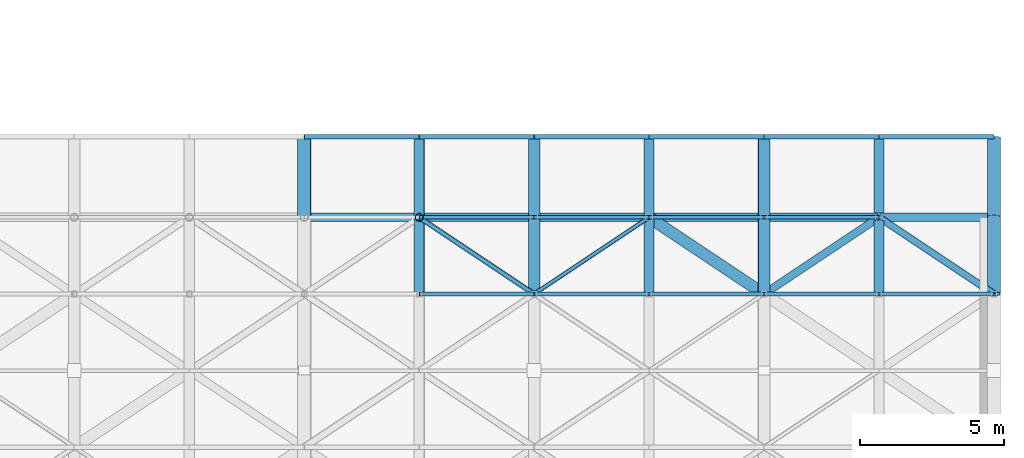
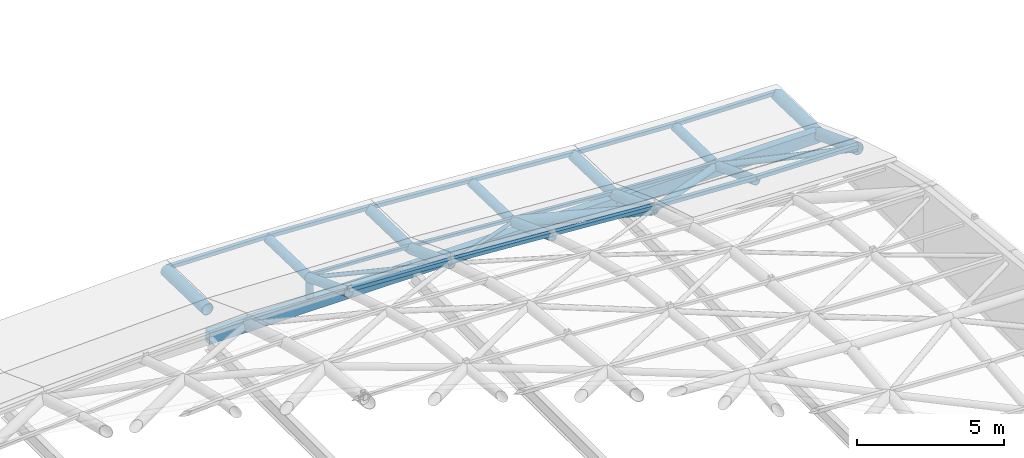
# One storey, part 9 of 20: 21 members, 16 beams.
"""IFC4 building model written with IfcOpenShell, lengths in metres."""

from ifc_helpers import new_model, si_unit, direction, frame, origin, origin_2d, place, context, subcontext, project, spatial, hollow_rectangle, hollow_circle, extrude, material, material_profile, profile_set, type_object, element, save


model = new_model("IFC4")

# Units and contexts
model_context = context("Model", 3, precision=1e-05, world=origin(), true_north=direction((0.0, 1.0)))
body_context = subcontext(model_context, "Body", "Model", "MODEL_VIEW")
ifc_project = project(units=[si_unit("LENGTHUNIT", "METRE"), si_unit("AREAUNIT", "SQUARE_METRE"), si_unit("VOLUMEUNIT", "CUBIC_METRE"), si_unit("PLANEANGLEUNIT", "RADIAN"), si_unit("MASSUNIT", "GRAM", prefix="KILO")], contexts=[model_context])

# Site, building, storey
site_placement = place(None, origin())
site = spatial("IfcSite", under=ifc_project, at=site_placement, CompositionType="ELEMENT")
building_placement = place(site_placement, origin())
building = spatial("IfcBuilding", under=site, at=building_placement, Name="Tenunan Teduh Sports Hall", CompositionType="ELEMENT")
storey_placement = place(building_placement, frame((0.0, 0.0, 23.39990234375)))
storey = spatial("IfcBuildingStorey", under=building, at=storey_placement, Name="RF", CompositionType="ELEMENT", Elevation=23.39990234375)

# Beams
ifc_material_1 = material(Name="Steel S355", Category="steel")
ifc_material_profile_1 = material_profile(ifc_material_1, hollow_circle(Radius=0.177734375, WallThickness=0.012451171875, at=origin_2d()), Name="CHS 355.6x12.5")
ifc_profile_set_1 = profile_set([ifc_material_profile_1], Name="Steel S355")
beam_type_1 = type_object("IfcBeamType", Name="GSB-CHS356", PredefinedType="BEAM", material=ifc_profile_set_1)
beam_1_placement = place(storey_placement, frame((34.0, 43.333251953125, 1.6552734375), z_axis=(0.0, 0.935428675248, -0.353515478479), x_axis=(-1.0, 0.0, 0.0)))
element("IfcBeam", 1, at=beam_1_placement, inside=storey, type_object=beam_type_1, Name="Gridshell Vault Arch BM-GR-04-RF-0377", PredefinedType="BEAM", context=body_context, shape_type="SweptSolid", body=[
    extrude(hollow_circle(Radius=0.177734375, WallThickness=0.012451171875, at=origin_2d()), origin(), (0.0, 0.0, 1.0), 2.850830078125),
])
beam_2_placement = place(storey_placement, frame((34.0, 46.0, 0.6474609375), z_axis=(0.0, 0.999610985869, -0.027890445155), x_axis=(-1.0, 0.0, 0.0)))
element("IfcBeam", 2, at=beam_2_placement, inside=storey, type_object=beam_type_1, Name="Gridshell Vault Arch BM-GR-04-RF-0378", PredefinedType="BEAM", context=body_context, shape_type="SweptSolid", body=[
    extrude(hollow_circle(Radius=0.177734375, WallThickness=0.012451171875, at=origin_2d()), origin(), (0.0, 0.0, 1.0), 2.801025390625),
])
beam_3_placement = place(storey_placement, frame((42.0, 43.333251953125, 1.1787109375), z_axis=(0.0, 0.935428675248, -0.353515478479), x_axis=(-1.0, 0.0, 0.0)))
element("IfcBeam", 3, at=beam_3_placement, inside=storey, type_object=beam_type_1, Name="Gridshell Vault Arch BM-GR-04-RF-0405", PredefinedType="BEAM", context=body_context, shape_type="SweptSolid", body=[
    extrude(hollow_circle(Radius=0.177734375, WallThickness=0.012451171875, at=origin_2d()), origin(), (0.0, 0.0, 1.0), 2.850830078125),
])
beam_4_placement = place(storey_placement, frame((42.0, 46.0, 0.1708984375), z_axis=(0.0, 0.999610985869, -0.027890445155), x_axis=(-1.0, 0.0, 0.0)))
element("IfcBeam", 4, at=beam_4_placement, inside=storey, type_object=beam_type_1, Name="Gridshell Vault Arch BM-GR-04-RF-0406", PredefinedType="BEAM", context=body_context, shape_type="SweptSolid", body=[
    extrude(hollow_circle(Radius=0.177734375, WallThickness=0.012451171875, at=origin_2d()), origin(), (0.0, 0.0, 1.0), 2.801025390625),
])
beam_5_placement = place(storey_placement, frame((50.0, 43.333251953125, 0.7021484375), z_axis=(0.0, 0.936146189375, -0.351611023888), x_axis=(-1.0, 0.0, 0.0)))
element("IfcBeam", 5, at=beam_5_placement, inside=storey, type_object=beam_type_1, Name="Gridshell Vault Arch BM-GR-04-RF-0433", PredefinedType="BEAM", context=body_context, shape_type="SweptSolid", body=[
    extrude(hollow_circle(Radius=0.177734375, WallThickness=0.012451171875, at=origin_2d()), origin(), (0.0, 0.0, 1.0), 2.6884765625),
])
beam_6_placement = place(storey_placement, frame((50.0, 46.14990234375, -0.3095703125), z_axis=(0.0, 0.999608075745, -0.027994551361), x_axis=(-1.0, 0.0, 0.0)))
element("IfcBeam", 6, at=beam_6_placement, inside=storey, type_object=beam_type_1, Name="Gridshell Vault Arch BM-GR-04-RF-0434", PredefinedType="BEAM", context=body_context, shape_type="SweptSolid", body=[
    extrude(hollow_circle(Radius=0.177734375, WallThickness=0.012451171875, at=origin_2d()), origin(), (0.0, 0.0, 1.0), 2.651123046875),
])
ifc_material_2 = material(Name="Steel S355", Category="steel")
ifc_material_profile_2 = material_profile(ifc_material_2, hollow_circle(Radius=0.203125, WallThickness=0.01611328125, at=origin_2d()), Name="CHS 406.4x16.0")
ifc_profile_set_2 = profile_set([ifc_material_profile_2], Name="Steel S355")
beam_type_2 = type_object("IfcBeamType", Name="GSB-CHS406", PredefinedType="BEAM", material=ifc_profile_set_2)
beam_7_placement = place(storey_placement, frame((38.0, 43.333251953125, 1.4521484375), z_axis=(0.0, 0.935428675248, -0.353515478479), x_axis=(-1.0, 0.0, 0.0)))
element("IfcBeam", 7, at=beam_7_placement, inside=storey, type_object=beam_type_2, Name="Gridshell Vault Arch BM-GA-02-RF-0391", PredefinedType="BEAM", context=body_context, shape_type="SweptSolid", body=[
    extrude(hollow_circle(Radius=0.203125, WallThickness=0.01611328125, at=origin_2d()), origin(), (0.0, 0.0, 1.0), 2.850830078125),
])
beam_8_placement = place(storey_placement, frame((38.0, 46.0, 0.4443359375), z_axis=(0.0, 0.999610985869, -0.027890445155), x_axis=(-1.0, 0.0, 0.0)))
element("IfcBeam", 8, at=beam_8_placement, inside=storey, type_object=beam_type_2, Name="Gridshell Vault Arch BM-GA-02-RF-0392", PredefinedType="BEAM", context=body_context, shape_type="SweptSolid", body=[
    extrude(hollow_circle(Radius=0.203125, WallThickness=0.01611328125, at=origin_2d()), origin(), (0.0, 0.0, 1.0), 2.801025390625),
])
beam_9_placement = place(storey_placement, frame((46.0, 43.333251953125, 0.9013671875), z_axis=(0.0, 0.935428675248, -0.353515478479), x_axis=(-1.0, 0.0, 0.0)))
element("IfcBeam", 9, at=beam_9_placement, inside=storey, type_object=beam_type_2, Name="Gridshell Vault Arch BM-GA-02-RF-0419", PredefinedType="BEAM", context=body_context, shape_type="SweptSolid", body=[
    extrude(hollow_circle(Radius=0.203125, WallThickness=0.01611328125, at=origin_2d()), origin(), (0.0, 0.0, 1.0), 2.850830078125),
])
beam_10_placement = place(storey_placement, frame((46.0, 46.0, -0.1064453125), z_axis=(0.0, 0.999610985869, -0.027890445155), x_axis=(-1.0, 0.0, 0.0)))
element("IfcBeam", 10, at=beam_10_placement, inside=storey, type_object=beam_type_2, Name="Gridshell Vault Arch BM-GA-02-RF-0420", PredefinedType="BEAM", context=body_context, shape_type="SweptSolid", body=[
    extrude(hollow_circle(Radius=0.203125, WallThickness=0.01611328125, at=origin_2d()), origin(), (0.0, 0.0, 1.0), 2.801025390625),
])
ifc_material_3 = material(Name="Steel S355", Category="steel")
ifc_material_profile_3 = material_profile(ifc_material_3, hollow_circle(Radius=0.228515625, WallThickness=0.01611328125, at=origin_2d()), Name="CHS 457.0x16.0")
ifc_profile_set_3 = profile_set([ifc_material_profile_3], Name="Steel S355")
beam_type_3 = type_object("IfcBeamType", Name="GSB-CHS457", PredefinedType="BEAM", material=ifc_profile_set_3)
beam_11_placement = place(storey_placement, frame((30.0, 46.0, 0.7216796875), z_axis=(0.0, 0.999610985869, -0.027890445155), x_axis=(-1.0, 0.0, 0.0)))
element("IfcBeam", 11, at=beam_11_placement, inside=storey, type_object=beam_type_3, Name="Gridshell Vault Arch BM-GA-01-RF-0364", PredefinedType="BEAM", context=body_context, shape_type="SweptSolid", body=[
    extrude(hollow_circle(Radius=0.228515625, WallThickness=0.01611328125, at=origin_2d()), origin(), (0.0, 0.0, 1.0), 2.801025390625),
])
beam_12_placement = place(storey_placement, frame((54.0, 43.333251953125, 0.6279296875), z_axis=(0.0, 0.935428675248, -0.353515478479), x_axis=(-1.0, 0.0, 0.0)))
element("IfcBeam", 12, at=beam_12_placement, inside=storey, type_object=beam_type_3, Name="Gridshell Vault Arch BM-GA-01-RF-0447", PredefinedType="BEAM", context=body_context, shape_type="SweptSolid", body=[
    extrude(hollow_circle(Radius=0.228515625, WallThickness=0.01611328125, at=origin_2d()), origin(), (0.0, 0.0, 1.0), 2.850830078125),
])
beam_13_placement = place(storey_placement, frame((54.0, 46.0, -0.3798828125), z_axis=(0.0, 0.999610985869, -0.027890445155), x_axis=(-1.0, 0.0, 0.0)))
element("IfcBeam", 13, at=beam_13_placement, inside=storey, type_object=beam_type_3, Name="Gridshell Vault Arch BM-GA-01-RF-0448", PredefinedType="BEAM", context=body_context, shape_type="SweptSolid", body=[
    extrude(hollow_circle(Radius=0.228515625, WallThickness=0.01611328125, at=origin_2d()), origin(), (0.0, 0.0, 1.0), 2.801025390625),
])

# Members
ifc_material_4 = material(Name="Steel S355", Category="steel")
ifc_material_profile_4 = material_profile(ifc_material_4, hollow_circle(Radius=0.06982421875, WallThickness=0.00634765625, at=origin_2d()), Name="CHS 139.7x6.3")
ifc_profile_set_4 = profile_set([ifc_material_profile_4], Name="Steel S355")
member_type_1 = type_object("IfcMemberType", Name="MEM-BR-CHS140", PredefinedType="BRACE", material=ifc_profile_set_4)
member_1_placement = place(storey_placement, frame((38.0, 43.333251953125, 1.4521484375), z_axis=(0.803979144991, 0.536002453658, -0.25752456988), x_axis=(-0.554711915519, 0.832042481356, 0.0)))
element("IfcMember", 14, at=member_1_placement, inside=storey, type_object=member_type_1, Name="MEM-GD-05-RF-0752", PredefinedType="BRACE", context=body_context, shape_type="SweptSolid", body=[
    extrude(hollow_circle(Radius=0.06982421875, WallThickness=0.00634765625, at=origin_2d()), origin(), (0.0, 0.0, 1.0), 4.975341796875),
])
ifc_material_5 = material(Name="Steel S355", Category="steel")
ifc_material_profile_5 = material_profile(ifc_material_5, hollow_circle(Radius=0.084228515625, WallThickness=0.008056640625, at=origin_2d()), Name="CHS 168.3x8.0")
ifc_profile_set_5 = profile_set([ifc_material_profile_5], Name="Steel S355")
member_type_2 = type_object("IfcMemberType", Name="MEM-BR-CHS168", PredefinedType="BRACE", material=ifc_profile_set_5)
member_2_placement = place(storey_placement, frame((34.0, 46.0, 0.6474609375), z_axis=(0.820626050019, -0.547100729026, 0.165086881156), x_axis=(0.554711915519, 0.832042481356, 0.0)))
element("IfcMember", 15, at=member_2_placement, inside=storey, type_object=member_type_2, Name="MEM-GD-04-RF-0725", PredefinedType="BRACE", context=body_context, shape_type="SweptSolid", body=[
    extrude(hollow_circle(Radius=0.084228515625, WallThickness=0.008056640625, at=origin_2d()), origin(), (0.0, 0.0, 1.0), 4.874267578125),
])
ifc_material_6 = material(Name="Steel S355", Category="steel")
ifc_material_profile_6 = material_profile(ifc_material_6, hollow_circle(Radius=0.122314453125, WallThickness=0.010009765625, at=origin_2d()), Name="CHS 244.5x10.0")
ifc_profile_set_6 = profile_set([ifc_material_profile_6], Name="Steel S355")
member_type_3 = type_object("IfcMemberType", Name="MEM-BR-CHS245", PredefinedType="BRACE", material=ifc_profile_set_6)
member_3_placement = place(storey_placement, frame((50.0, 46.0, -0.3056640625), z_axis=(0.816783485072, -0.544538940884, 0.190635989192), x_axis=(0.554711915519, 0.832042481356, 0.0)))
element("IfcMember", 16, at=member_3_placement, inside=storey, type_object=member_type_3, Name="MEM-GD-01-RF-0831", PredefinedType="BRACE", context=body_context, shape_type="SweptSolid", body=[
    extrude(hollow_circle(Radius=0.122314453125, WallThickness=0.010009765625, at=origin_2d()), origin(), (0.0, 0.0, 1.0), 4.897216796875),
])
ifc_material_7 = material(Name="Steel S355", Category="steel")
ifc_material_profile_7 = material_profile(ifc_material_7, hollow_circle(Radius=0.136474609375, WallThickness=0.010009765625, at=origin_2d()), Name="CHS 273.0x10.0")
ifc_profile_set_7 = profile_set([ifc_material_profile_7], Name="Steel S355")
member_type_4 = type_object("IfcMemberType", Name="MEM-CH-CHS273", PredefinedType="CHORD", material=ifc_profile_set_7)
member_4_placement = place(storey_placement, frame((46.0, 43.333251953125, 0.9013671875), z_axis=(0.806995177005, 0.538013203029, -0.243517099311), x_axis=(-0.554711915519, 0.832042481356, 0.0)))
element("IfcMember", 17, at=member_4_placement, inside=storey, type_object=member_type_4, Name="MEM-GC-03-RF-0806", PredefinedType="CHORD", context=body_context, shape_type="SweptSolid", body=[
    extrude(hollow_circle(Radius=0.136474609375, WallThickness=0.010009765625, at=origin_2d()), origin(), (0.0, 0.0, 1.0), 4.95654296875),
])
ifc_material_8 = material(Name="Steel S355", Category="steel")
ifc_material_profile_8 = material_profile(ifc_material_8, hollow_circle(Radius=0.203125, WallThickness=0.012451171875, at=origin_2d()), Name="CHS 406.4x12.5")
ifc_profile_set_8 = profile_set([ifc_material_profile_8], Name="Steel S355")
member_type_5 = type_object("IfcMemberType", Name="MEM-CH-CHS406L", PredefinedType="CHORD", material=ifc_profile_set_8)
member_5_placement = place(storey_placement, frame((42.0, 46.0, 0.1708984375), z_axis=(0.822600824873, -0.548417285772, 0.150221049073), x_axis=(0.554711915519, 0.832042481356, 0.0)))
element("IfcMember", 18, at=member_5_placement, inside=storey, type_object=member_type_5, Name="MEM-GC-01-RF-0779", PredefinedType="CHORD", context=body_context, shape_type="SweptSolid", body=[
    extrude(hollow_circle(Radius=0.203125, WallThickness=0.012451171875, at=origin_2d()), origin(), (0.0, 0.0, 1.0), 4.862548828125),
])
ifc_material_9 = material(Name="Steel S355", Category="steel")
ifc_material_profile_9 = material_profile(ifc_material_9, hollow_rectangle(XDim=0.1201171875, YDim=0.1201171875, WallThickness=0.00634765625, at=origin_2d()), Name="SHS 120x120x6.3")
ifc_profile_set_9 = profile_set([ifc_material_profile_9], Name="Steel S355")
member_type_6 = type_object("IfcMemberType", Name="MEM-PR-SHS120", PredefinedType="PURLIN", material=ifc_profile_set_9)
member_6_placement = place(storey_placement, frame((34.0, 46.0, 0.767333984375), z_axis=(0.998713120681, 0.0, -0.05071590066), x_axis=(0.0, 1.0, 0.0)))
element("IfcMember", 19, at=member_6_placement, inside=storey, type_object=member_type_6, Name="MEM-PR-02-RF-0712", PredefinedType="PURLIN", context=body_context, shape_type="SweptSolid", body=[
    extrude(hollow_rectangle(XDim=0.1201171875, YDim=0.1201171875, WallThickness=0.00634765625, at=origin_2d()), origin(), (0.0, 0.0, 1.0), 4.005126953125),
])
member_7_placement = place(storey_placement, frame((38.0, 46.0, 0.564208984375), z_axis=(0.997671655029, 0.0, -0.068200210793), x_axis=(0.0, 1.0, 0.0)))
element("IfcMember", 20, at=member_7_placement, inside=storey, type_object=member_type_6, Name="MEM-PR-02-RF-0739", PredefinedType="PURLIN", context=body_context, shape_type="SweptSolid", body=[
    extrude(hollow_rectangle(XDim=0.1201171875, YDim=0.1201171875, WallThickness=0.00634765625, at=origin_2d()), origin(), (0.0, 0.0, 1.0), 4.00927734375),
])
member_8_placement = place(storey_placement, frame((42.0, 46.0, 0.290771484375), z_axis=(0.99760489623, 0.0, -0.069169870735), x_axis=(0.0, 1.0, 0.0)))
element("IfcMember", 21, at=member_8_placement, inside=storey, type_object=member_type_6, Name="MEM-PR-02-RF-0766", PredefinedType="PURLIN", context=body_context, shape_type="SweptSolid", body=[
    extrude(hollow_rectangle(XDim=0.1201171875, YDim=0.1201171875, WallThickness=0.00634765625, at=origin_2d()), origin(), (0.0, 0.0, 1.0), 4.009521484375),
])
member_9_placement = place(storey_placement, frame((46.0, 46.0, 0.013427734375), z_axis=(0.998762049135, 0.0, -0.049743031744), x_axis=(0.0, 1.0, 0.0)))
element("IfcMember", 22, at=member_9_placement, inside=storey, type_object=member_type_6, Name="MEM-PR-02-RF-0793", PredefinedType="PURLIN", context=body_context, shape_type="SweptSolid", body=[
    extrude(hollow_rectangle(XDim=0.1201171875, YDim=0.1201171875, WallThickness=0.00634765625, at=origin_2d()), origin(), (0.0, 0.0, 1.0), 4.0048828125),
])
ifc_material_10 = material(Name="Steel S355", Category="steel")
ifc_material_profile_10 = material_profile(ifc_material_10, hollow_rectangle(XDim=0.14990234375, YDim=0.14990234375, WallThickness=0.008056640625, at=origin_2d()), Name="SHS 150x150x8.0")
ifc_profile_set_10 = profile_set([ifc_material_profile_10], Name="Steel S355")
member_type_7 = type_object("IfcMemberType", Name="MEM-PR-SHS150", PredefinedType="PURLIN", material=ifc_profile_set_10)
member_10_placement = place(storey_placement, frame((30.0, 48.800048828125, 0.763427734375), z_axis=(0.99982790622, 0.0, -0.018551494354), x_axis=(0.0, 1.0, 0.0)))
element("IfcMember", 23, at=member_10_placement, inside=storey, type_object=member_type_7, Name="MEM-PR-01-RF-0686", PredefinedType="PURLIN", context=body_context, shape_type="SweptSolid", body=[
    extrude(hollow_rectangle(XDim=0.14990234375, YDim=0.14990234375, WallThickness=0.008056640625, at=origin_2d()), origin(), (0.0, 0.0, 1.0), 4.000732421875),
])
for number, where, z_axis, x_axis, name in (
    (24, (34.0, 43.333251953125, 1.775146484375), (0.998713120681, 0.0, -0.05071590066), (0.0, 1.0, 0.0), "MEM-PR-01-RF-0711"),
    (25, (34.0, 48.800048828125, 0.689208984375), (0.998713120681, 0.0, -0.05071590066), (0.0, 1.0, 0.0), "MEM-PR-01-RF-0713"),
):
    element("IfcMember", number, at=place(storey_placement, frame(where, z_axis=z_axis, x_axis=x_axis)), inside=storey, type_object=member_type_7, Name=name, PredefinedType="PURLIN", context=body_context, shape_type="SweptSolid", body=[
        extrude(hollow_rectangle(XDim=0.14990234375, YDim=0.14990234375, WallThickness=0.008056640625, at=origin_2d()), origin(), (0.0, 0.0, 1.0), 4.005126953125),
    ])
for number, where, z_axis, x_axis, name in (
    (26, (38.0, 43.333251953125, 1.572021484375), (0.997671655029, 0.0, -0.068200210793), (0.0, 1.0, 0.0), "MEM-PR-01-RF-0738"),
    (27, (38.0, 48.800048828125, 0.486083984375), (0.997671655029, 0.0, -0.068200210793), (0.0, 1.0, 0.0), "MEM-PR-01-RF-0740"),
):
    element("IfcMember", number, at=place(storey_placement, frame(where, z_axis=z_axis, x_axis=x_axis)), inside=storey, type_object=member_type_7, Name=name, PredefinedType="PURLIN", context=body_context, shape_type="SweptSolid", body=[
        extrude(hollow_rectangle(XDim=0.14990234375, YDim=0.14990234375, WallThickness=0.008056640625, at=origin_2d()), origin(), (0.0, 0.0, 1.0), 4.00927734375),
    ])
for number, where, z_axis, x_axis, name in (
    (28, (42.0, 43.333251953125, 1.298583984375), (0.99760489623, 0.0, -0.069169870735), (0.0, 1.0, 0.0), "MEM-PR-01-RF-0765"),
    (29, (42.0, 48.800048828125, 0.212646484375), (0.99760489623, 0.0, -0.069169870735), (0.0, 1.0, 0.0), "MEM-PR-01-RF-0767"),
):
    element("IfcMember", number, at=place(storey_placement, frame(where, z_axis=z_axis, x_axis=x_axis)), inside=storey, type_object=member_type_7, Name=name, PredefinedType="PURLIN", context=body_context, shape_type="SweptSolid", body=[
        extrude(hollow_rectangle(XDim=0.14990234375, YDim=0.14990234375, WallThickness=0.008056640625, at=origin_2d()), origin(), (0.0, 0.0, 1.0), 4.009521484375),
    ])
for number, where, z_axis, x_axis, name in (
    (30, (46.0, 43.333251953125, 1.021240234375), (0.998762049135, 0.0, -0.049743031744), (0.0, 1.0, 0.0), "MEM-PR-01-RF-0792"),
    (31, (46.0, 48.800048828125, -0.064697265625), (0.998762049135, 0.0, -0.049743031744), (0.0, 1.0, 0.0), "MEM-PR-01-RF-0794"),
):
    element("IfcMember", number, at=place(storey_placement, frame(where, z_axis=z_axis, x_axis=x_axis)), inside=storey, type_object=member_type_7, Name=name, PredefinedType="PURLIN", context=body_context, shape_type="SweptSolid", body=[
        extrude(hollow_rectangle(XDim=0.14990234375, YDim=0.14990234375, WallThickness=0.008056640625, at=origin_2d()), origin(), (0.0, 0.0, 1.0), 4.0048828125),
    ])
for number, where, z_axis, x_axis, name in (
    (32, (50.0, 43.333251953125, 0.822021484375), (0.99982790622, 0.0, -0.018551494354), (0.0, 1.0, 0.0), "MEM-PR-01-RF-0818"),
    (33, (50.0, 48.800048828125, -0.263916015625), (0.99982790622, 0.0, -0.018551494354), (0.0, 1.0, 0.0), "MEM-PR-01-RF-0819"),
):
    element("IfcMember", number, at=place(storey_placement, frame(where, z_axis=z_axis, x_axis=x_axis)), inside=storey, type_object=member_type_7, Name=name, PredefinedType="PURLIN", context=body_context, shape_type="SweptSolid", body=[
        extrude(hollow_rectangle(XDim=0.14990234375, YDim=0.14990234375, WallThickness=0.008056640625, at=origin_2d()), origin(), (0.0, 0.0, 1.0), 4.000732421875),
    ])
ifc_material_11 = material(Name="Steel S355", Category="steel")
ifc_material_profile_11 = material_profile(ifc_material_11, hollow_circle(Radius=0.136474609375, WallThickness=0.010009765625, at=origin_2d()), Name="CHS 273.0x10.0")
ifc_profile_set_11 = profile_set([ifc_material_profile_11], Name="Steel S355")
member_type_8 = type_object("IfcMemberType", Name="MEM-ST-CHS273", PredefinedType="STRUT", material=ifc_profile_set_11)
member_11_placement = place(storey_placement, frame((34.0, 46.0, -0.349853515625), z_axis=(0.0, 0.0, 1.0), x_axis=(1.0, 0.0, 0.0)))
element("IfcMember", 34, at=member_11_placement, inside=storey, type_object=member_type_8, Name="MEM-VS-04-RF-0465", PredefinedType="STRUT", context=body_context, shape_type="SweptSolid", body=[
    extrude(hollow_circle(Radius=0.136474609375, WallThickness=0.010009765625, at=origin_2d()), origin(), (0.0, 0.0, 1.0), 0.997314453125),
])

# Beams
ifc_material_12 = material(Name="Steel S355", Category="steel")
ifc_material_profile_12 = material_profile(ifc_material_12, hollow_rectangle(XDim=0.300048828125, YDim=0.5, WallThickness=0.01611328125, at=origin_2d()), Name="RHS 500x300x16.0")
ifc_profile_set_12 = profile_set([ifc_material_profile_12], Name="Steel S355")
beam_type_4 = type_object("IfcBeamType", Name="RBM-RHS500", PredefinedType="SPANDREL", material=ifc_profile_set_12)
for number, where, z_axis, x_axis, name in (
    (35, (30.0, 46.0, -0.409912109375), (1.0, 0.0, 0.0), (0.0, 1.0, 0.0), "Perimeter Ring Beam BM-RB-01-RF-0249"),
    (36, (38.0, 46.0, -0.409912109375), (1.0, 0.0, 0.0), (0.0, 1.0, 0.0), "Perimeter Ring Beam BM-RB-01-RF-0251"),
    (37, (46.0, 46.0, -0.409912109375), (1.0, 0.0, 0.0), (0.0, 1.0, 0.0), "Perimeter Ring Beam BM-RB-01-RF-0253"),
):
    element("IfcBeam", number, at=place(storey_placement, frame(where, z_axis=z_axis, x_axis=x_axis)), inside=storey, type_object=beam_type_4, Name=name, PredefinedType="SPANDREL", context=body_context, shape_type="SweptSolid", body=[
        extrude(hollow_rectangle(XDim=0.300048828125, YDim=0.5, WallThickness=0.01611328125, at=origin_2d()), origin(), (0.0, 0.0, 1.0), 8.0),
    ])

save(model, "model.ifc")
